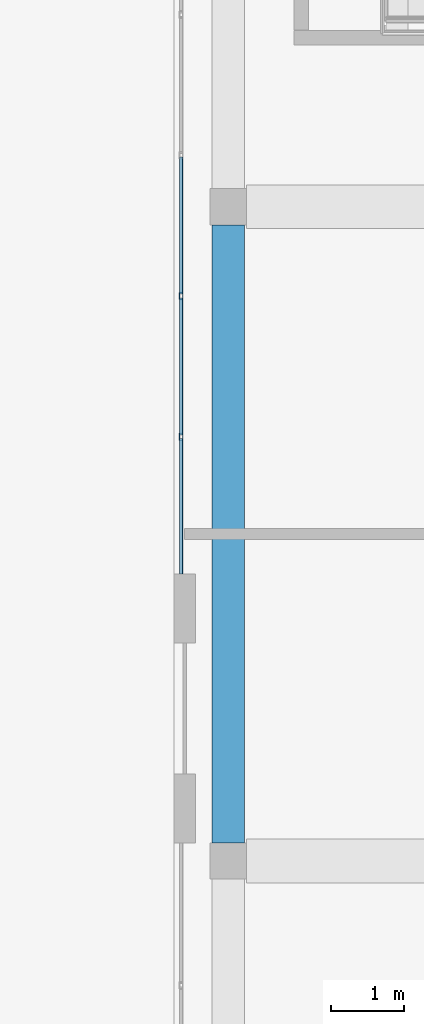
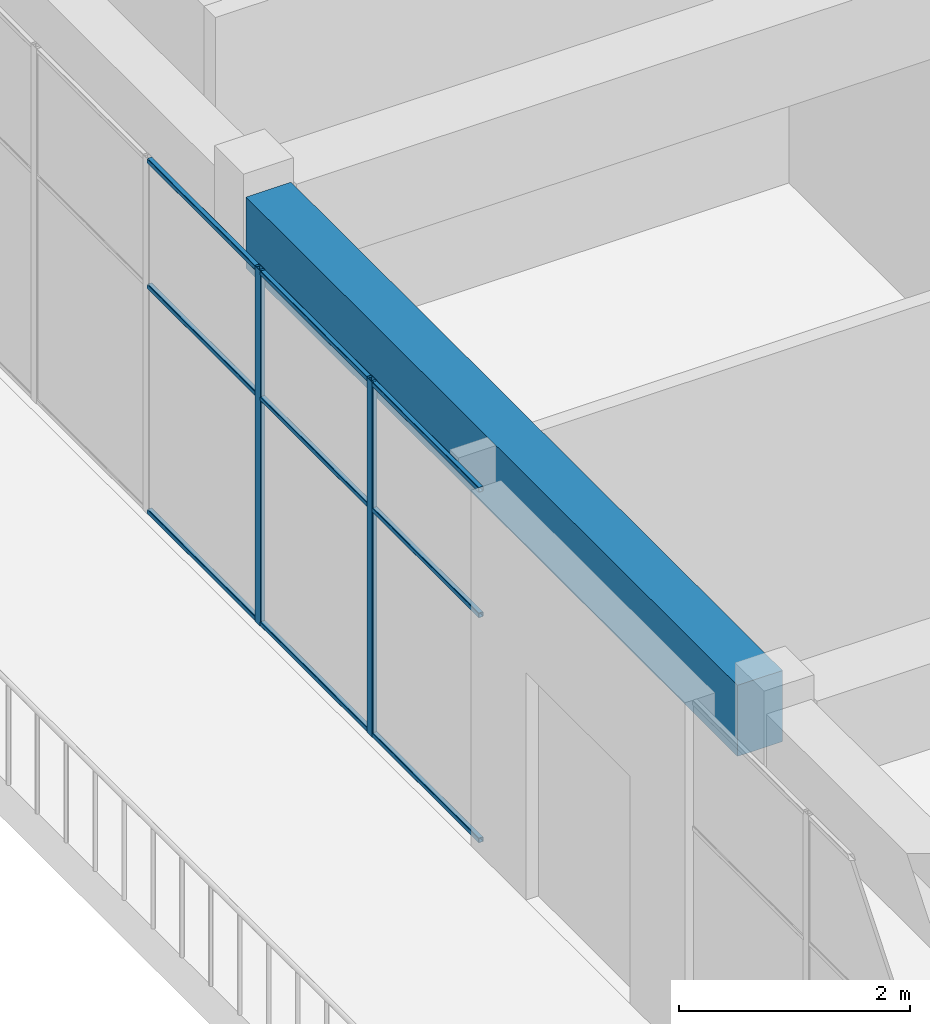
# One storey, part 11 of 34: 11 members, 1 beam, 1 element without a shape of its own.
"""IFC4 building model written with IfcOpenShell, lengths in metres."""

import ifcopenshell
import ifcopenshell.guid

model = None  # the IFC model being written
_history = None  # IfcOwnerHistory: only IFC2X3 demands one
_inside = {}  # id of a spatial element -> (the spatial element, [elements in it])
_under = {}  # id of a project, library or spatial element -> (it, [spatial elements below it])
_declared = {}  # id of a project -> (the project, [libraries it declares])
_typed = {}  # id of a type object -> (the type object, [elements of that type])
_made_of = {}  # id of a material, layer set ... -> (it, [elements and type objects made of it])


def new_model(schema):
    """Start an empty IFC model of exactly this schema.

    Asked for "IFC4X3", IfcOpenShell would pick the latest addendum, in which some entities
    have other attributes; the version numbers below select the first issue.
    IFC2X3 requires an IfcOwnerHistory on every rooted entity: one is made here for all.
    """
    global model, _history
    if schema == "IFC4X3":
        model = ifcopenshell.file(schema_version=(4, 3, 0, 0))
    else:
        model = ifcopenshell.file(schema=schema)
    _inside.clear()
    _under.clear()
    _declared.clear()
    _typed.clear()
    _made_of.clear()
    _history = None
    if model.schema == "IFC2X3":
        org = make("IfcOrganization", Name="unknown")
        user = make(
            "IfcPersonAndOrganization",
            ThePerson=make("IfcPerson", FamilyName="unknown"),
            TheOrganization=org,
        )
        app = make(
            "IfcApplication",
            ApplicationDeveloper=org,
            Version="unknown",
            ApplicationFullName="unknown",
            ApplicationIdentifier="unknown",
        )
        _history = make(
            "IfcOwnerHistory",
            OwningUser=user,
            OwningApplication=app,
            ChangeAction="ADDED",
            CreationDate=0,
        )
    return model


def make(cls, **values):
    """One entity of the class cls with the attributes given. An attribute that is None is left unset."""
    return model.create_entity(
        cls, **{name: value for name, value in values.items() if value is not None}
    )


def rooted(cls, **values):
    """An entity with a GlobalId (a new one), such as an element, a storey or a relation."""
    return make(cls, GlobalId=ifcopenshell.guid.new(), OwnerHistory=_history, **values)


def si_unit(unit_type, name, prefix=None):
    """IfcSIUnit, for example si_unit("LENGTHUNIT", "METRE", prefix="MILLI")."""
    return make("IfcSIUnit", UnitType=unit_type, Prefix=prefix, Name=name)


def assignment(units):
    """IfcUnitAssignment: the units of a project."""
    return None if units is None else make("IfcUnitAssignment", Units=units)


def point(xyz):
    """IfcCartesianPoint."""
    return None if xyz is None else make("IfcCartesianPoint", Coordinates=xyz)


def direction(xyz):
    """IfcDirection."""
    return None if xyz is None else make("IfcDirection", DirectionRatios=xyz)


def frame(location, z_axis=None, x_axis=None):
    """IfcAxis2Placement3D, a coordinate frame: its origin and axes. An axis left out is left unset."""
    return make(
        "IfcAxis2Placement3D",
        Location=point(location),
        Axis=direction(z_axis),
        RefDirection=direction(x_axis),
    )


def frame_2d(location, x_axis=None):
    """IfcAxis2Placement2D, a coordinate frame in the plane: its origin and x axis."""
    return make(
        "IfcAxis2Placement2D", Location=point(location), RefDirection=direction(x_axis)
    )


def origin():
    """The frame at (0, 0, 0) with its axes left unset."""
    return frame((0.0, 0.0, 0.0))


def origin_2d():
    """The frame at (0, 0) in the plane with its x axis left unset."""
    return frame_2d((0.0, 0.0))


def place(relative_to, where):
    """IfcLocalPlacement: puts the frame where relative to a parent placement (None: the world)."""
    return make(
        "IfcLocalPlacement", PlacementRelTo=relative_to, RelativePlacement=where
    )


def context(
    kind, dimensions, precision=None, world=None, true_north=None, identifier=None
):
    """IfcGeometricRepresentationContext, for example the 3D "Model" context."""
    return make(
        "IfcGeometricRepresentationContext",
        ContextIdentifier=identifier,
        ContextType=kind,
        CoordinateSpaceDimension=dimensions,
        Precision=precision,
        WorldCoordinateSystem=world,
        TrueNorth=true_north,
    )


def subcontext(parent, identifier, kind, view, scale=None):
    """IfcGeometricRepresentationSubContext, for example "Body" below "Model"."""
    return make(
        "IfcGeometricRepresentationSubContext",
        ContextIdentifier=identifier,
        ContextType=kind,
        ParentContext=parent,
        TargetScale=scale,
        TargetView=view,
    )


def project(units=None, contexts=None):
    """IfcProject with its units and contexts."""
    return rooted(
        "IfcProject",
        Name="project",
        RepresentationContexts=contexts,
        UnitsInContext=assignment(units),
    )


def spatial(cls, under=None, at=None, **own):
    """A site, building, storey or space (cls), placed at a placement, below another one or the project."""
    s = rooted(cls, ObjectPlacement=at, **own)
    if under is not None:
        _under.setdefault(under.id(), (under, []))[1].append(s)
    return s


def profile(cls, at=None, kind="AREA", **sizes):
    """A parametric profile (cls). Its sizes go by their IFC names, for example OverallWidth=200.0."""
    return make(cls, ProfileType=kind, Position=at, **sizes)


def rectangle(**sizes):
    """IfcRectangleProfileDef."""
    return profile("IfcRectangleProfileDef", **sizes)


def hollow_rectangle(**sizes):
    """IfcRectangleHollowProfileDef."""
    return profile("IfcRectangleHollowProfileDef", **sizes)


def extrude(swept, where, along, depth):
    """IfcExtrudedAreaSolid: the profile swept, set in the frame where, extruded along a direction by depth."""
    return make(
        "IfcExtrudedAreaSolid",
        SweptArea=swept,
        Position=where,
        ExtrudedDirection=direction(along),
        Depth=depth,
    )


def shape(context_of_items, identifier, shape_type, items):
    """IfcShapeRepresentation: the items that make up one representation, for example the "Body"."""
    return make(
        "IfcShapeRepresentation",
        ContextOfItems=context_of_items,
        RepresentationIdentifier=identifier,
        RepresentationType=shape_type,
        Items=items,
    )


def material(Name=None, Category=None):
    """IfcMaterial."""
    return make("IfcMaterial", Name=Name, Category=Category)


def layer(
    of_material, thickness, ventilated=None, Name=None, Category=None, Priority=None
):
    """IfcMaterialLayer: one layer of a wall or slab, of a material (None: an air gap)."""
    return make(
        "IfcMaterialLayer",
        Material=of_material,
        LayerThickness=thickness,
        IsVentilated=ventilated,
        Name=Name,
        Category=Category,
        Priority=Priority,
    )


def layer_set(layers, Name=None):
    """IfcMaterialLayerSet."""
    return make("IfcMaterialLayerSet", MaterialLayers=layers, LayerSetName=Name)


def material_profile(
    of_material, cross_section, Name=None, Category=None, Priority=None
):
    """IfcMaterialProfile: a cross section and its material."""
    return make(
        "IfcMaterialProfile",
        Name=Name,
        Material=of_material,
        Profile=cross_section,
        Priority=Priority,
        Category=Category,
    )


def profile_set(profiles, Name=None, composite=None):
    """IfcMaterialProfileSet."""
    return make(
        "IfcMaterialProfileSet",
        Name=Name,
        MaterialProfiles=profiles,
        CompositeProfile=composite,
    )


def made_of(thing, what):
    """Note that an element or type object is made of a material, layer set ...; save() writes the relation."""
    if what is not None:
        _made_of.setdefault(what.id(), (what, []))[1].append(thing)
    return thing


def type_object(cls, material=None, **own):
    """A type object (cls), such as IfcWallType, which elements share."""
    return made_of(rooted(cls, **own), material)


def element(
    cls,
    number,
    at=None,
    inside=None,
    cuts=None,
    type_object=None,
    material=None,
    context=None,
    identifier="Body",
    shape_type=None,
    held_by="IfcProductDefinitionShape",
    body=None,
    shapes=None,
    **own,
):
    """One element of the class cls, such as IfcWall. Its Tag is "e" and its number.

    at: its placement. inside: the storey or other place that contains it. cuts: it is an
    opening in that element (IfcRelVoidsElement). A single representation is given by context,
    identifier, shape_type and body (its items); several are given by shapes. held_by: the class
    of the entity that holds the representations. save() writes the other relations.
    """
    e = rooted(cls, Tag="e%d" % number, ObjectPlacement=at, **own)
    if body is not None:
        shapes = [shape(context, identifier, shape_type, body)]
    if shapes is not None:
        e.Representation = make(held_by, Representations=shapes)
    if inside is not None:
        _inside.setdefault(inside.id(), (inside, []))[1].append(e)
    if cuts is not None:
        rooted(
            "IfcRelVoidsElement", RelatingBuildingElement=cuts, RelatedOpeningElement=e
        )
    if type_object is not None:
        _typed.setdefault(type_object.id(), (type_object, []))[1].append(e)
    return made_of(e, material)


def aggregate(whole, parts):
    """IfcRelAggregates: a whole, such as a stair, and the parts it consists of."""
    return rooted("IfcRelAggregates", RelatingObject=whole, RelatedObjects=parts)


def save(model, path):
    """Write the relations noted so far, then the file.

    IfcRelAggregates (storeys below a building ...), IfcRelContainedInSpatialStructure (elements
    in a storey), IfcRelDefinesByType, IfcRelAssociatesMaterial and IfcRelDeclares: one each for
    every whole, place, type object, material and project.
    """
    for whole, parts in _under.values():
        aggregate(whole, parts)
    for where, things in _inside.values():
        rooted(
            "IfcRelContainedInSpatialStructure",
            RelatedElements=things,
            RelatingStructure=where,
        )
    for kind, things in _typed.values():
        rooted("IfcRelDefinesByType", RelatedObjects=things, RelatingType=kind)
    for what, things in _made_of.values():
        rooted("IfcRelAssociatesMaterial", RelatedObjects=things, RelatingMaterial=what)
    for by, libraries in _declared.values():
        rooted("IfcRelDeclares", RelatingContext=by, RelatedDefinitions=libraries)
    model.write(path)


model = new_model("IFC4")

# Units and contexts
model_context = context("Model", 3, precision=1e-05, world=origin(), true_north=direction((0.0, 1.0)))
body_context = subcontext(model_context, "Body", "Model", "MODEL_VIEW")
ifc_project = project(units=[si_unit("LENGTHUNIT", "METRE"), si_unit("AREAUNIT", "SQUARE_METRE"), si_unit("VOLUMEUNIT", "CUBIC_METRE"), si_unit("PLANEANGLEUNIT", "RADIAN"), si_unit("MASSUNIT", "GRAM", prefix="KILO")], contexts=[model_context])

# Site, building, storey
site_placement = place(None, origin())
site = spatial("IfcSite", under=ifc_project, at=site_placement, CompositionType="ELEMENT")
building_placement = place(site_placement, origin())
building = spatial("IfcBuilding", under=site, at=building_placement, Name="Tuart Plaza Theatre", CompositionType="ELEMENT")
storey_placement = place(building_placement, frame((0.0, 0.0, 53.5)))
storey = spatial("IfcBuildingStorey", under=building, at=storey_placement, Name="L13", CompositionType="ELEMENT", Elevation=53.5)

# Beam
ifc_material_1 = material(Name="Concrete N40 (40 MPa)", Category="concrete")
ifc_material_profile_1 = material_profile(ifc_material_1, rectangle(XDim=0.449951171875, YDim=0.75, at=origin_2d()), Name="BEAM 450x750 Concrete N40 (40 MPa)")
ifc_profile_set_1 = profile_set([ifc_material_profile_1], Name="Concrete N40 (40 MPa)")
beam_type = type_object("IfcBeamType", Name="BEAM 450x750 Concrete N40 (40 MPa)", PredefinedType="BEAM", material=ifc_profile_set_1)
beam_placement = place(storey_placement, frame((114.0, 74.25, 3.375), z_axis=(0.0, 1.0, 0.0), x_axis=(-1.0, 0.0, 0.0)))
element("IfcBeam", 1, at=beam_placement, inside=storey, type_object=beam_type, Name="RB320", PredefinedType="BEAM", context=body_context, shape_type="SweptSolid", body=[
    extrude(rectangle(XDim=0.449951171875, YDim=0.75, at=origin_2d()), origin(), (0.0, 0.0, 1.0), 8.5),
])

# Curtain wall, members
ifc_material_2 = material(Name="Aluminium and glass", Category="aluminium")
ifc_layer = layer(ifc_material_2, 0.10009765625)
ifc_layer_set = layer_set([ifc_layer], Name="CURTAIN WALL 2000 module")
curtain_wall_type = type_object("IfcCurtainWallType", Name="CURTAIN WALL 2000 module", PredefinedType="NOTDEFINED", material=ifc_layer_set)
curtain_wall_placement = place(storey_placement, origin())
curtain_wall = element("IfcCurtainWall", 2, at=curtain_wall_placement, inside=storey, type_object=curtain_wall_type, Name="CW118", PredefinedType="NOTDEFINED")
ifc_material_3 = material(Name="Aluminium 6063-T5", Category="aluminium")
ifc_material_profile_2 = material_profile(ifc_material_3, hollow_rectangle(XDim=0.050048828125, YDim=0.10009765625, WallThickness=0.00390625, InnerFilletRadius=0.00390625, OuterFilletRadius=0.008056640625, at=origin_2d()), Name="RHS 100x50x4")
ifc_profile_set_2 = profile_set([ifc_material_profile_2], Name="Aluminium 6063-T5")
member_type_1 = type_object("IfcMemberType", Name="MULLION RHS 100x50x4", PredefinedType="MULLION", material=ifc_profile_set_2)
member_1_placement = place(storey_placement, frame((113.35009765625, 81.77001953125, 0.0), z_axis=(0.0, 0.0, 1.0), x_axis=(1.0, 0.0, 0.0)))
member_1 = element("IfcMember", 3, at=member_1_placement, type_object=member_type_1, Name="CW118 mullion 9", PredefinedType="MULLION", context=body_context, shape_type="SweptSolid", body=[
    extrude(hollow_rectangle(XDim=0.050048828125, YDim=0.10009765625, WallThickness=0.00390625, InnerFilletRadius=0.00390625, OuterFilletRadius=0.008056640625, at=origin_2d()), origin(), (0.0, 0.0, 1.0), 3.75),
])
member_2_placement = place(storey_placement, frame((113.35009765625, 79.8349609375, 0.0), z_axis=(0.0, 0.0, 1.0), x_axis=(1.0, 0.0, 0.0)))
member_2 = element("IfcMember", 4, at=member_2_placement, type_object=member_type_1, Name="CW118 mullion 10", PredefinedType="MULLION", context=body_context, shape_type="SweptSolid", body=[
    extrude(hollow_rectangle(XDim=0.050048828125, YDim=0.10009765625, WallThickness=0.00390625, InnerFilletRadius=0.00390625, OuterFilletRadius=0.008056640625, at=origin_2d()), origin(), (0.0, 0.0, 1.0), 3.75),
])
ifc_material_4 = material(Name="Aluminium 6063-T5", Category="aluminium")
ifc_material_profile_3 = material_profile(ifc_material_4, hollow_rectangle(XDim=0.050048828125, YDim=0.050048828125, WallThickness=0.00390625, InnerFilletRadius=0.00390625, OuterFilletRadius=0.008056640625, at=origin_2d()), Name="RHS 50x50x4")
ifc_profile_set_3 = profile_set([ifc_material_profile_3], Name="Aluminium 6063-T5")
member_type_2 = type_object("IfcMemberType", Name="TRANSOM RHS 50x50x4", PredefinedType="USERDEFINED", material=ifc_profile_set_3)
member_3_placement = place(storey_placement, frame((113.35009765625, 83.679931640625, 0.02490234375), z_axis=(0.0, -1.0, 0.0), x_axis=(1.0, 0.0, 0.0)))
member_3 = element("IfcMember", 5, at=member_3_placement, type_object=member_type_2, Name="CW118 transom 8.1", ObjectType="TRANSOM", PredefinedType="USERDEFINED", context=body_context, shape_type="SweptSolid", body=[
    extrude(hollow_rectangle(XDim=0.050048828125, YDim=0.050048828125, WallThickness=0.00390625, InnerFilletRadius=0.00390625, OuterFilletRadius=0.008056640625, at=origin_2d()), origin(), (0.0, 0.0, 1.0), 1.885009765625),
])
member_4_placement = place(storey_placement, frame((113.35009765625, 83.679931640625, 2.39990234375), z_axis=(0.0, -1.0, 0.0), x_axis=(1.0, 0.0, 0.0)))
member_4 = element("IfcMember", 6, at=member_4_placement, type_object=member_type_2, Name="CW118 transom 8.2", ObjectType="TRANSOM", PredefinedType="USERDEFINED", context=body_context, shape_type="SweptSolid", body=[
    extrude(hollow_rectangle(XDim=0.050048828125, YDim=0.050048828125, WallThickness=0.00390625, InnerFilletRadius=0.00390625, OuterFilletRadius=0.008056640625, at=origin_2d()), origin(), (0.0, 0.0, 1.0), 1.885009765625),
])
member_5_placement = place(storey_placement, frame((113.35009765625, 83.679931640625, 3.72509765625), z_axis=(0.0, -1.0, 0.0), x_axis=(1.0, 0.0, 0.0)))
member_5 = element("IfcMember", 7, at=member_5_placement, type_object=member_type_2, Name="CW118 transom 8.3", ObjectType="TRANSOM", PredefinedType="USERDEFINED", context=body_context, shape_type="SweptSolid", body=[
    extrude(hollow_rectangle(XDim=0.050048828125, YDim=0.050048828125, WallThickness=0.00390625, InnerFilletRadius=0.00390625, OuterFilletRadius=0.008056640625, at=origin_2d()), origin(), (0.0, 0.0, 1.0), 1.885009765625),
])
member_6_placement = place(storey_placement, frame((113.35009765625, 81.7451171875, 0.02490234375), z_axis=(0.0, -1.0, 0.0), x_axis=(1.0, 0.0, 0.0)))
member_6 = element("IfcMember", 8, at=member_6_placement, type_object=member_type_2, Name="CW118 transom 9.1", ObjectType="TRANSOM", PredefinedType="USERDEFINED", context=body_context, shape_type="SweptSolid", body=[
    extrude(hollow_rectangle(XDim=0.050048828125, YDim=0.050048828125, WallThickness=0.00390625, InnerFilletRadius=0.00390625, OuterFilletRadius=0.008056640625, at=origin_2d()), origin(), (0.0, 0.0, 1.0), 1.885009765625),
])
member_7_placement = place(storey_placement, frame((113.35009765625, 81.7451171875, 2.39990234375), z_axis=(0.0, -1.0, 0.0), x_axis=(1.0, 0.0, 0.0)))
member_7 = element("IfcMember", 9, at=member_7_placement, type_object=member_type_2, Name="CW118 transom 9.2", ObjectType="TRANSOM", PredefinedType="USERDEFINED", context=body_context, shape_type="SweptSolid", body=[
    extrude(hollow_rectangle(XDim=0.050048828125, YDim=0.050048828125, WallThickness=0.00390625, InnerFilletRadius=0.00390625, OuterFilletRadius=0.008056640625, at=origin_2d()), origin(), (0.0, 0.0, 1.0), 1.885009765625),
])
member_8_placement = place(storey_placement, frame((113.35009765625, 81.7451171875, 3.72509765625), z_axis=(0.0, -1.0, 0.0), x_axis=(1.0, 0.0, 0.0)))
member_8 = element("IfcMember", 10, at=member_8_placement, type_object=member_type_2, Name="CW118 transom 9.3", ObjectType="TRANSOM", PredefinedType="USERDEFINED", context=body_context, shape_type="SweptSolid", body=[
    extrude(hollow_rectangle(XDim=0.050048828125, YDim=0.050048828125, WallThickness=0.00390625, InnerFilletRadius=0.00390625, OuterFilletRadius=0.008056640625, at=origin_2d()), origin(), (0.0, 0.0, 1.0), 1.885009765625),
])
member_9_placement = place(storey_placement, frame((113.35009765625, 79.81005859375, 0.02490234375), z_axis=(0.0, -1.0, 0.0), x_axis=(1.0, 0.0, 0.0)))
member_9 = element("IfcMember", 11, at=member_9_placement, type_object=member_type_2, Name="CW118 transom 10.1", ObjectType="TRANSOM", PredefinedType="USERDEFINED", context=body_context, shape_type="SweptSolid", body=[
    extrude(hollow_rectangle(XDim=0.050048828125, YDim=0.050048828125, WallThickness=0.00390625, InnerFilletRadius=0.00390625, OuterFilletRadius=0.008056640625, at=origin_2d()), origin(), (0.0, 0.0, 1.0), 1.860107421875),
])
member_10_placement = place(storey_placement, frame((113.35009765625, 79.81005859375, 2.39990234375), z_axis=(0.0, -1.0, 0.0), x_axis=(1.0, 0.0, 0.0)))
member_10 = element("IfcMember", 12, at=member_10_placement, type_object=member_type_2, Name="CW118 transom 10.2", ObjectType="TRANSOM", PredefinedType="USERDEFINED", context=body_context, shape_type="SweptSolid", body=[
    extrude(hollow_rectangle(XDim=0.050048828125, YDim=0.050048828125, WallThickness=0.00390625, InnerFilletRadius=0.00390625, OuterFilletRadius=0.008056640625, at=origin_2d()), origin(), (0.0, 0.0, 1.0), 1.860107421875),
])
member_11_placement = place(storey_placement, frame((113.35009765625, 79.81005859375, 3.72509765625), z_axis=(0.0, -1.0, 0.0), x_axis=(1.0, 0.0, 0.0)))
member_11 = element("IfcMember", 13, at=member_11_placement, type_object=member_type_2, Name="CW118 transom 10.3", ObjectType="TRANSOM", PredefinedType="USERDEFINED", context=body_context, shape_type="SweptSolid", body=[
    extrude(hollow_rectangle(XDim=0.050048828125, YDim=0.050048828125, WallThickness=0.00390625, InnerFilletRadius=0.00390625, OuterFilletRadius=0.008056640625, at=origin_2d()), origin(), (0.0, 0.0, 1.0), 1.860107421875),
])
aggregate(curtain_wall, [member_1, member_2, member_3, member_4, member_5, member_6, member_7, member_8, member_9, member_10, member_11])

save(model, "model.ifc")
